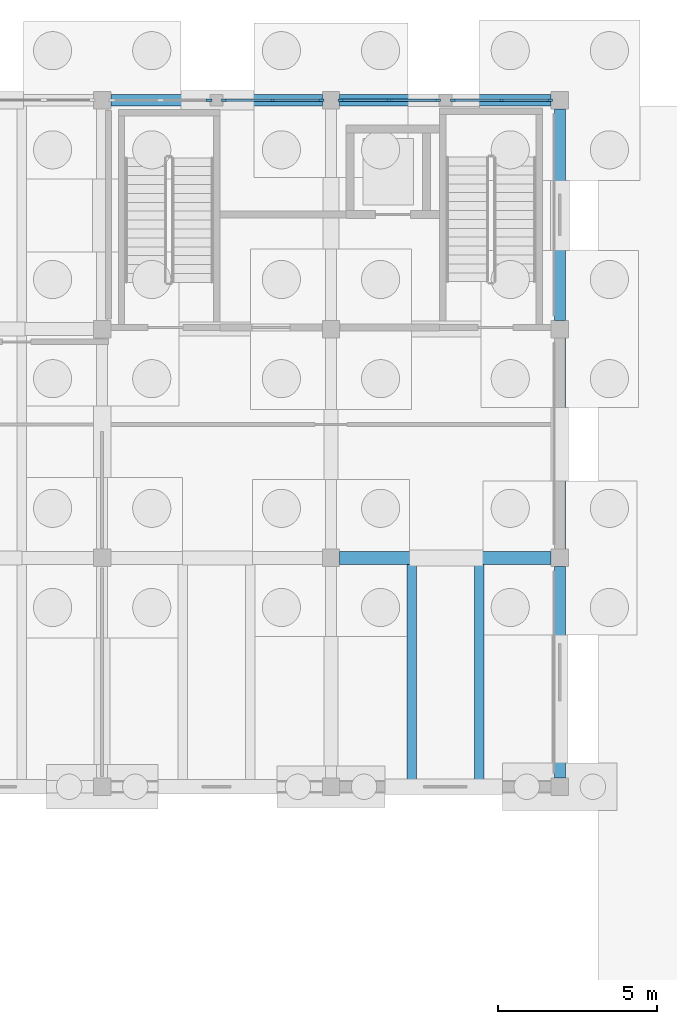
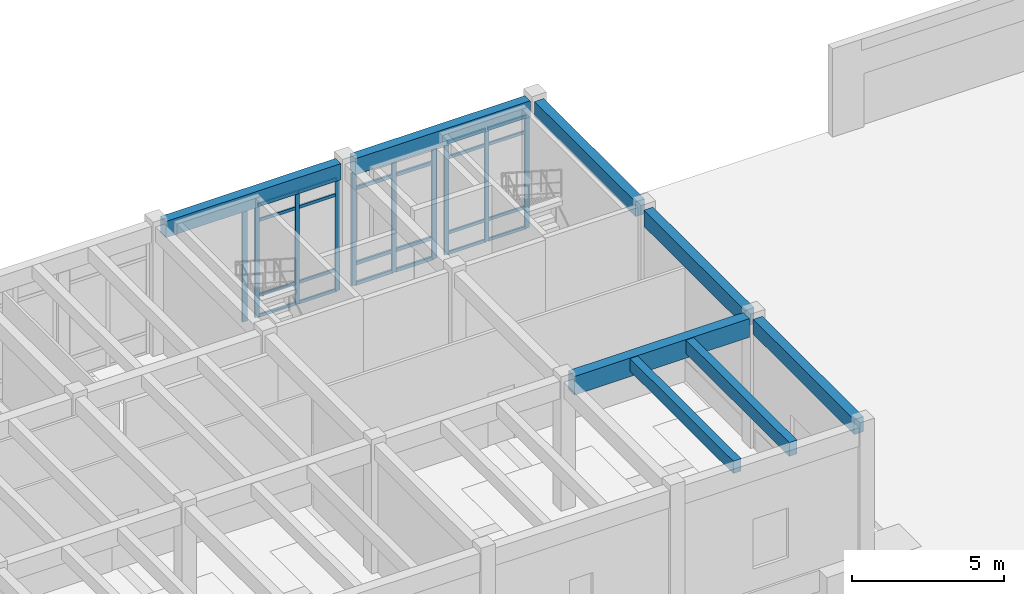
# One storey, part 33 of 93: 34 members, 8 beams, 4 elements without a shape of their own.
"""IFC4 building model written with IfcOpenShell, lengths in metres."""

from ifc_helpers import new_model, si_unit, direction, frame, origin, origin_2d, place, context, subcontext, project, spatial, rectangle, extrude, material, layer, layer_set, material_profile, profile_set, type_object, element, aggregate, save


model = new_model("IFC4")

# Units and contexts
model_context = context("Model", 3, precision=1e-05, world=origin(), true_north=direction((0.0, 1.0)))
body_context = subcontext(model_context, "Body", "Model", "MODEL_VIEW")
ifc_project = project(units=[si_unit("LENGTHUNIT", "METRE"), si_unit("AREAUNIT", "SQUARE_METRE"), si_unit("VOLUMEUNIT", "CUBIC_METRE"), si_unit("PLANEANGLEUNIT", "RADIAN"), si_unit("MASSUNIT", "GRAM", prefix="KILO")], contexts=[model_context])

# Site, building, storey
site_placement = place(None, origin())
site = spatial("IfcSite", under=ifc_project, at=site_placement, CompositionType="ELEMENT")
building_placement = place(site_placement, origin())
building = spatial("IfcBuilding", under=site, at=building_placement, Name="Koriwan Promenade Central Fire Station", CompositionType="ELEMENT")
storey_placement = place(building_placement, origin())
storey = spatial("IfcBuildingStorey", under=building, at=storey_placement, Name="L00", CompositionType="ELEMENT", Elevation=0.0)

# Beams
ifc_material_1 = material(Name="Concrete C35/45", Category="concrete")
ifc_material_profile_1 = material_profile(ifc_material_1, rectangle(XDim=0.300048828125, YDim=0.5, at=origin_2d()), Name="RC-BM-300x500")
ifc_profile_set_1 = profile_set([ifc_material_profile_1], Name="Concrete C35/45")
beam_type_1 = type_object("IfcBeamType", Name="Beam_RC-BM-300x500", PredefinedType="JOIST", material=ifc_profile_set_1)
beam_1_placement = place(storey_placement, frame((96.135986328125, 93.800048828125, 4.909912109375), z_axis=(0.0, 1.0, 0.0), x_axis=(-1.0, 0.0, 0.0)))
element("IfcBeam", 1, at=beam_1_placement, inside=storey, type_object=beam_type_1, Name="V2 L00 smoke chamber secondary joist 5", PredefinedType="JOIST", context=body_context, shape_type="SweptSolid", body=[
    extrude(rectangle(XDim=0.300048828125, YDim=0.5, at=origin_2d()), origin(), (0.0, 0.0, 1.0), 6.800048828125),
])
ifc_material_profile_2 = material_profile(ifc_material_1, rectangle(XDim=0.300048828125, YDim=0.550048828125, at=origin_2d()), Name="RC-BM-300x550")
ifc_profile_set_2 = profile_set([ifc_material_profile_2], Name="Concrete C35/45")
beam_type_2 = type_object("IfcBeamType", Name="Beam_RC-BM-300x550", PredefinedType="JOIST", material=ifc_profile_set_2)
beam_2_placement = place(storey_placement, frame((98.263916015625, 93.800048828125, 4.885009765625), z_axis=(0.0, 1.0, 0.0), x_axis=(-1.0, 0.0, 0.0)))
element("IfcBeam", 2, at=beam_2_placement, inside=storey, type_object=beam_type_2, Name="V2 L00 smoke chamber secondary joist 6", PredefinedType="JOIST", context=body_context, shape_type="SweptSolid", body=[
    extrude(rectangle(XDim=0.300048828125, YDim=0.550048828125, at=origin_2d()), origin(), (0.0, 0.0, 1.0), 6.800048828125),
])
ifc_material_profile_3 = material_profile(ifc_material_1, rectangle(XDim=0.35009765625, YDim=0.60009765625, at=origin_2d()), Name="RC-BM-350x600")
ifc_profile_set_3 = profile_set([ifc_material_profile_3], Name="Concrete C35/45")
beam_type_3 = type_object("IfcBeamType", Name="Beam_RC-BM-350x600", PredefinedType="BEAM", material=ifc_profile_set_3)
beam_3_placement = place(storey_placement, frame((100.800048828125, 93.875, 4.860107421875), z_axis=(0.0, 1.0, 0.0), x_axis=(-1.0, 0.0, 0.0)))
element("IfcBeam", 3, at=beam_3_placement, inside=storey, type_object=beam_type_3, Name="V2 L00 girder Y-108", PredefinedType="BEAM", context=body_context, shape_type="SweptSolid", body=[
    extrude(rectangle(XDim=0.35009765625, YDim=0.60009765625, at=origin_2d()), origin(), (0.0, 0.0, 1.0), 6.64990234375),
])
beam_4_placement = place(storey_placement, frame((100.800048828125, 108.27490234375, 4.8798828125), z_axis=(0.0, 1.0, 0.0), x_axis=(-1.0, 0.0, 0.0)))
element("IfcBeam", 4, at=beam_4_placement, inside=storey, type_object=beam_type_3, Name="V2 L00 girder Y-110", PredefinedType="BEAM", context=body_context, shape_type="SweptSolid", body=[
    extrude(rectangle(XDim=0.35009765625, YDim=0.60009765625, at=origin_2d()), origin(), (0.0, 0.0, 1.0), 6.650146484375),
])
ifc_material_profile_4 = material_profile(ifc_material_1, rectangle(XDim=0.35009765625, YDim=0.64990234375, at=origin_2d()), Name="RC-BM-350x650")
ifc_profile_set_4 = profile_set([ifc_material_profile_4], Name="Concrete C35/45")
beam_type_4 = type_object("IfcBeamType", Name="Beam_RC-BM-350x650", PredefinedType="BEAM", material=ifc_profile_set_4)
beam_5_placement = place(storey_placement, frame((100.800048828125, 101.074951171875, 4.85498046875), z_axis=(0.0, 1.0, 0.0), x_axis=(-1.0, 0.0, 0.0)))
element("IfcBeam", 5, at=beam_5_placement, inside=storey, type_object=beam_type_4, Name="V2 L00 girder Y-109", PredefinedType="BEAM", context=body_context, shape_type="SweptSolid", body=[
    extrude(rectangle(XDim=0.35009765625, YDim=0.64990234375, at=origin_2d()), origin(), (0.0, 0.0, 1.0), 6.650146484375),
])
ifc_material_profile_5 = material_profile(ifc_material_1, rectangle(XDim=0.39990234375, YDim=0.75, at=origin_2d()), Name="RC-BM-400x750")
ifc_profile_set_5 = profile_set([ifc_material_profile_5], Name="Concrete C35/45")
beam_type_5 = type_object("IfcBeamType", Name="Beam_RC-BM-400x750", PredefinedType="BEAM", material=ifc_profile_set_5)
beam_6_placement = place(storey_placement, frame((93.875, 100.800048828125, 4.804931640625), z_axis=(1.0, 0.0, 0.0), x_axis=(0.0, 1.0, 0.0)))
element("IfcBeam", 6, at=beam_6_placement, inside=storey, type_object=beam_type_5, Name="V2 L00 girder X-89", PredefinedType="BEAM", context=body_context, shape_type="SweptSolid", body=[
    extrude(rectangle(XDim=0.39990234375, YDim=0.75, at=origin_2d()), origin(), (0.0, 0.0, 1.0), 6.64990234375),
])
ifc_material_profile_6 = material_profile(ifc_material_1, rectangle(XDim=0.35009765625, YDim=0.64990234375, at=origin_2d()), Name="RC-SP-350x650")
ifc_profile_set_6 = profile_set([ifc_material_profile_6], Name="Concrete C35/45")
beam_type_6 = type_object("IfcBeamType", Name="Beam_RC-SP-350x650", PredefinedType="SPANDREL", material=ifc_profile_set_6)
for number, where, z_axis, x_axis, name in (
    (7, (86.675048828125, 115.199951171875, 4.85498046875), (1.0, 0.0, 0.0), (0.0, 1.0, 0.0), "V2 L00 girder X-94"),
    (8, (93.875, 115.199951171875, 4.85498046875), (1.0, 0.0, 0.0), (0.0, 1.0, 0.0), "V2 L00 girder X-95"),
):
    element("IfcBeam", number, at=place(storey_placement, frame(where, z_axis=z_axis, x_axis=x_axis)), inside=storey, type_object=beam_type_6, Name=name, PredefinedType="SPANDREL", context=body_context, shape_type="SweptSolid", body=[
        extrude(rectangle(XDim=0.35009765625, YDim=0.64990234375, at=origin_2d()), origin(), (0.0, 0.0, 1.0), 6.64990234375),
    ])

# Curtain wall, members
ifc_material_2 = material(Name="Aluminium EN AW-6063-T6 and low-E glazing", Category="aluminium")
ifc_layer_1 = layer(ifc_material_2, 0.159912109375, Name="Aluminium EN AW-6063-T6 and low-E glazing")
ifc_layer_set_1 = layer_set([ifc_layer_1], Name="Aluminium EN AW-6063-T6 and low-E glazing")
curtain_wall_type_1 = type_object("IfcCurtainWallType", Name="CurtainWall_03_312x452", PredefinedType="USERDEFINED", material=ifc_layer_set_1)
curtain_wall_1_placement = place(storey_placement, origin())
curtain_wall_1 = element("IfcCurtainWall", 9, at=curtain_wall_1_placement, inside=storey, type_object=curtain_wall_type_1, Name="V2 L00 unitised curtain wall 013", ObjectType="UNITISED CURTAIN WALL", PredefinedType="USERDEFINED")
ifc_material_3 = material(Name="Aluminium EN AW-6063-T6", Category="aluminium")
ifc_material_profile_7 = material_profile(ifc_material_3, rectangle(XDim=0.06494140625, YDim=0.159912109375, at=origin_2d()), Name="ALU-MUL-65x160")
ifc_profile_set_7 = profile_set([ifc_material_profile_7], Name="Aluminium EN AW-6063-T6")
member_type_1 = type_object("IfcMemberType", Name="CWMullion_ALU-MUL-65x160", PredefinedType="MULLION", material=ifc_profile_set_7)
member_1_placement = place(storey_placement, frame((100.492431640625, 115.199951171875, 0.0), z_axis=(0.0, 0.0, 1.0), x_axis=(0.0, -1.0, 0.0)))
member_1 = element("IfcMember", 10, at=member_1_placement, type_object=member_type_1, Name="CW-03 mullion 1", PredefinedType="MULLION", context=body_context, shape_type="SweptSolid", body=[
    extrude(rectangle(XDim=0.06494140625, YDim=0.159912109375, at=origin_2d()), origin(), (0.0, 0.0, 1.0), 4.52001953125),
])
member_2_placement = place(storey_placement, frame((98.96240234375, 115.199951171875, 0.0), z_axis=(0.0, 0.0, 1.0), x_axis=(0.0, -1.0, 0.0)))
member_2 = element("IfcMember", 11, at=member_2_placement, type_object=member_type_1, Name="CW-03 mullion 2", PredefinedType="MULLION", context=body_context, shape_type="SweptSolid", body=[
    extrude(rectangle(XDim=0.06494140625, YDim=0.159912109375, at=origin_2d()), origin(), (0.0, 0.0, 1.0), 4.52001953125),
])
member_3_placement = place(storey_placement, frame((97.4326171875, 115.199951171875, 0.0), z_axis=(0.0, 0.0, 1.0), x_axis=(0.0, -1.0, 0.0)))
member_3 = element("IfcMember", 12, at=member_3_placement, type_object=member_type_1, Name="CW-03 mullion 3", PredefinedType="MULLION", context=body_context, shape_type="SweptSolid", body=[
    extrude(rectangle(XDim=0.06494140625, YDim=0.159912109375, at=origin_2d()), origin(), (0.0, 0.0, 1.0), 4.52001953125),
])

curtain_wall_2_placement = place(storey_placement, origin())
curtain_wall_2 = element("IfcCurtainWall", 13, at=curtain_wall_2_placement, inside=storey, type_object=curtain_wall_type_1, Name="V2 L00 unitised curtain wall 015", ObjectType="UNITISED CURTAIN WALL", PredefinedType="USERDEFINED")
member_4_placement = place(storey_placement, frame((93.29248046875, 115.199951171875, 0.0), z_axis=(0.0, 0.0, 1.0), x_axis=(0.0, -1.0, 0.0)))
member_4 = element("IfcMember", 14, at=member_4_placement, type_object=member_type_1, Name="CW-03 mullion 1", PredefinedType="MULLION", context=body_context, shape_type="SweptSolid", body=[
    extrude(rectangle(XDim=0.06494140625, YDim=0.159912109375, at=origin_2d()), origin(), (0.0, 0.0, 1.0), 4.52001953125),
])
member_5_placement = place(storey_placement, frame((91.762451171875, 115.199951171875, 0.0), z_axis=(0.0, 0.0, 1.0), x_axis=(0.0, -1.0, 0.0)))
member_5 = element("IfcMember", 15, at=member_5_placement, type_object=member_type_1, Name="CW-03 mullion 2", PredefinedType="MULLION", context=body_context, shape_type="SweptSolid", body=[
    extrude(rectangle(XDim=0.06494140625, YDim=0.159912109375, at=origin_2d()), origin(), (0.0, 0.0, 1.0), 4.52001953125),
])
member_6_placement = place(storey_placement, frame((90.232421875, 115.199951171875, 0.0), z_axis=(0.0, 0.0, 1.0), x_axis=(0.0, -1.0, 0.0)))
member_6 = element("IfcMember", 16, at=member_6_placement, type_object=member_type_1, Name="CW-03 mullion 3", PredefinedType="MULLION", context=body_context, shape_type="SweptSolid", body=[
    extrude(rectangle(XDim=0.06494140625, YDim=0.159912109375, at=origin_2d()), origin(), (0.0, 0.0, 1.0), 4.52001953125),
])

ifc_layer_2 = layer(ifc_material_2, 0.159912109375, Name="Aluminium EN AW-6063-T6 and low-E glazing")
ifc_layer_set_2 = layer_set([ifc_layer_2], Name="Aluminium EN AW-6063-T6 and low-E glazing")
curtain_wall_type_2 = type_object("IfcCurtainWallType", Name="CurtainWall_04_312x452", PredefinedType="USERDEFINED", material=ifc_layer_set_2)
curtain_wall_3_placement = place(storey_placement, origin())
curtain_wall_3 = element("IfcCurtainWall", 17, at=curtain_wall_3_placement, inside=storey, type_object=curtain_wall_type_2, Name="V2 L00 unitised curtain wall 014", ObjectType="UNITISED CURTAIN WALL", PredefinedType="USERDEFINED")
ifc_material_profile_8 = material_profile(ifc_material_3, rectangle(XDim=0.074951171875, YDim=0.179931640625, at=origin_2d()), Name="ALU-MUL-75x180")
ifc_profile_set_8 = profile_set([ifc_material_profile_8], Name="Aluminium EN AW-6063-T6")
member_type_2 = type_object("IfcMemberType", Name="CWMullion_ALU-MUL-75x180", PredefinedType="MULLION", material=ifc_profile_set_8)
member_7_placement = place(storey_placement, frame((96.96240234375, 115.199951171875, 0.0), z_axis=(0.0, 0.0, 1.0), x_axis=(0.0, -1.0, 0.0)))
member_7 = element("IfcMember", 18, at=member_7_placement, type_object=member_type_2, Name="CW-04 mullion 1", PredefinedType="MULLION", context=body_context, shape_type="SweptSolid", body=[
    extrude(rectangle(XDim=0.074951171875, YDim=0.179931640625, at=origin_2d()), origin(), (0.0, 0.0, 1.0), 4.52001953125),
])
member_8_placement = place(storey_placement, frame((95.4375, 115.199951171875, 0.0), z_axis=(0.0, 0.0, 1.0), x_axis=(0.0, -1.0, 0.0)))
member_8 = element("IfcMember", 19, at=member_8_placement, type_object=member_type_2, Name="CW-04 mullion 2", PredefinedType="MULLION", context=body_context, shape_type="SweptSolid", body=[
    extrude(rectangle(XDim=0.074951171875, YDim=0.179931640625, at=origin_2d()), origin(), (0.0, 0.0, 1.0), 4.52001953125),
])
member_9_placement = place(storey_placement, frame((93.91259765625, 115.199951171875, 0.0), z_axis=(0.0, 0.0, 1.0), x_axis=(0.0, -1.0, 0.0)))
member_9 = element("IfcMember", 20, at=member_9_placement, type_object=member_type_2, Name="CW-04 mullion 3", PredefinedType="MULLION", context=body_context, shape_type="SweptSolid", body=[
    extrude(rectangle(XDim=0.074951171875, YDim=0.179931640625, at=origin_2d()), origin(), (0.0, 0.0, 1.0), 4.52001953125),
])

# Curtain wall, member
curtain_wall_4_placement = place(storey_placement, origin())
curtain_wall_4 = element("IfcCurtainWall", 21, at=curtain_wall_4_placement, inside=storey, type_object=curtain_wall_type_2, Name="V2 L00 unitised curtain wall 016", ObjectType="UNITISED CURTAIN WALL", PredefinedType="USERDEFINED")
member_10_placement = place(storey_placement, frame((89.762451171875, 115.199951171875, 0.0), z_axis=(0.0, 0.0, 1.0), x_axis=(0.0, -1.0, 0.0)))
member_10 = element("IfcMember", 22, at=member_10_placement, type_object=member_type_2, Name="CW-04 mullion 1", PredefinedType="MULLION", context=body_context, shape_type="SweptSolid", body=[
    extrude(rectangle(XDim=0.074951171875, YDim=0.179931640625, at=origin_2d()), origin(), (0.0, 0.0, 1.0), 4.52001953125),
])
aggregate(curtain_wall_4, [member_10])

# Member
ifc_material_profile_9 = material_profile(ifc_material_3, rectangle(XDim=0.06494140625, YDim=0.1201171875, at=origin_2d()), Name="ALU-TRN-65x120")
ifc_profile_set_9 = profile_set([ifc_material_profile_9], Name="Aluminium EN AW-6063-T6")
member_type_3 = type_object("IfcMemberType", Name="CWTransom_ALU-TRN-65x120", PredefinedType="USERDEFINED", material=ifc_profile_set_9)
member_11_placement = place(storey_placement, frame((100.4599609375, 115.199951171875, 0.032470703125), z_axis=(-1.0, 0.0, 0.0), x_axis=(0.0, -1.0, 0.0)))
member_11 = element("IfcMember", 23, at=member_11_placement, type_object=member_type_3, Name="CW-03 transom 1.1", ObjectType="TRANSOM", PredefinedType="USERDEFINED", context=body_context, shape_type="SweptSolid", body=[
    extrude(rectangle(XDim=0.06494140625, YDim=0.1201171875, at=origin_2d()), origin(), (0.0, 0.0, 1.0), 1.46484375),
])

member_12_placement = place(storey_placement, frame((100.4599609375, 115.199951171875, 0.85009765625), z_axis=(-1.0, 0.0, 0.0), x_axis=(0.0, -1.0, 0.0)))
member_12 = element("IfcMember", 24, at=member_12_placement, type_object=member_type_3, Name="CW-03 transom 1.2", ObjectType="TRANSOM", PredefinedType="USERDEFINED", context=body_context, shape_type="SweptSolid", body=[
    extrude(rectangle(XDim=0.06494140625, YDim=0.1201171875, at=origin_2d()), origin(), (0.0, 0.0, 1.0), 1.46484375),
])

member_13_placement = place(storey_placement, frame((100.4599609375, 115.199951171875, 3.8701171875), z_axis=(-1.0, 0.0, 0.0), x_axis=(0.0, -1.0, 0.0)))
member_13 = element("IfcMember", 25, at=member_13_placement, type_object=member_type_3, Name="CW-03 transom 1.3", ObjectType="TRANSOM", PredefinedType="USERDEFINED", context=body_context, shape_type="SweptSolid", body=[
    extrude(rectangle(XDim=0.06494140625, YDim=0.1201171875, at=origin_2d()), origin(), (0.0, 0.0, 1.0), 1.46484375),
])

member_14_placement = place(storey_placement, frame((100.4599609375, 115.199951171875, 4.487548828125), z_axis=(-1.0, 0.0, 0.0), x_axis=(0.0, -1.0, 0.0)))
member_14 = element("IfcMember", 26, at=member_14_placement, type_object=member_type_3, Name="CW-03 transom 1.4", ObjectType="TRANSOM", PredefinedType="USERDEFINED", context=body_context, shape_type="SweptSolid", body=[
    extrude(rectangle(XDim=0.06494140625, YDim=0.1201171875, at=origin_2d()), origin(), (0.0, 0.0, 1.0), 1.46484375),
])

member_15_placement = place(storey_placement, frame((98.929931640625, 115.199951171875, 0.032470703125), z_axis=(-1.0, 0.0, 0.0), x_axis=(0.0, -1.0, 0.0)))
member_15 = element("IfcMember", 27, at=member_15_placement, type_object=member_type_3, Name="CW-03 transom 2.1", ObjectType="TRANSOM", PredefinedType="USERDEFINED", context=body_context, shape_type="SweptSolid", body=[
    extrude(rectangle(XDim=0.06494140625, YDim=0.1201171875, at=origin_2d()), origin(), (0.0, 0.0, 1.0), 1.46484375),
])

member_16_placement = place(storey_placement, frame((98.929931640625, 115.199951171875, 0.85009765625), z_axis=(-1.0, 0.0, 0.0), x_axis=(0.0, -1.0, 0.0)))
member_16 = element("IfcMember", 28, at=member_16_placement, type_object=member_type_3, Name="CW-03 transom 2.2", ObjectType="TRANSOM", PredefinedType="USERDEFINED", context=body_context, shape_type="SweptSolid", body=[
    extrude(rectangle(XDim=0.06494140625, YDim=0.1201171875, at=origin_2d()), origin(), (0.0, 0.0, 1.0), 1.46484375),
])

member_17_placement = place(storey_placement, frame((98.929931640625, 115.199951171875, 3.8701171875), z_axis=(-1.0, 0.0, 0.0), x_axis=(0.0, -1.0, 0.0)))
member_17 = element("IfcMember", 29, at=member_17_placement, type_object=member_type_3, Name="CW-03 transom 2.3", ObjectType="TRANSOM", PredefinedType="USERDEFINED", context=body_context, shape_type="SweptSolid", body=[
    extrude(rectangle(XDim=0.06494140625, YDim=0.1201171875, at=origin_2d()), origin(), (0.0, 0.0, 1.0), 1.46484375),
])

member_18_placement = place(storey_placement, frame((98.929931640625, 115.199951171875, 4.487548828125), z_axis=(-1.0, 0.0, 0.0), x_axis=(0.0, -1.0, 0.0)))
member_18 = element("IfcMember", 30, at=member_18_placement, type_object=member_type_3, Name="CW-03 transom 2.4", ObjectType="TRANSOM", PredefinedType="USERDEFINED", context=body_context, shape_type="SweptSolid", body=[
    extrude(rectangle(XDim=0.06494140625, YDim=0.1201171875, at=origin_2d()), origin(), (0.0, 0.0, 1.0), 1.46484375),
])

aggregate(curtain_wall_1, [member_1, member_2, member_3, member_11, member_12, member_13, member_14, member_15, member_16, member_17, member_18])

member_19_placement = place(storey_placement, frame((93.260009765625, 115.199951171875, 0.032470703125), z_axis=(-1.0, 0.0, 0.0), x_axis=(0.0, -1.0, 0.0)))
member_19 = element("IfcMember", 31, at=member_19_placement, type_object=member_type_3, Name="CW-03 transom 1.1", ObjectType="TRANSOM", PredefinedType="USERDEFINED", context=body_context, shape_type="SweptSolid", body=[
    extrude(rectangle(XDim=0.06494140625, YDim=0.1201171875, at=origin_2d()), origin(), (0.0, 0.0, 1.0), 1.465087890625),
])

member_20_placement = place(storey_placement, frame((93.260009765625, 115.199951171875, 0.85009765625), z_axis=(-1.0, 0.0, 0.0), x_axis=(0.0, -1.0, 0.0)))
member_20 = element("IfcMember", 32, at=member_20_placement, type_object=member_type_3, Name="CW-03 transom 1.2", ObjectType="TRANSOM", PredefinedType="USERDEFINED", context=body_context, shape_type="SweptSolid", body=[
    extrude(rectangle(XDim=0.06494140625, YDim=0.1201171875, at=origin_2d()), origin(), (0.0, 0.0, 1.0), 1.465087890625),
])

member_21_placement = place(storey_placement, frame((93.260009765625, 115.199951171875, 3.8701171875), z_axis=(-1.0, 0.0, 0.0), x_axis=(0.0, -1.0, 0.0)))
member_21 = element("IfcMember", 33, at=member_21_placement, type_object=member_type_3, Name="CW-03 transom 1.3", ObjectType="TRANSOM", PredefinedType="USERDEFINED", context=body_context, shape_type="SweptSolid", body=[
    extrude(rectangle(XDim=0.06494140625, YDim=0.1201171875, at=origin_2d()), origin(), (0.0, 0.0, 1.0), 1.465087890625),
])

member_22_placement = place(storey_placement, frame((93.260009765625, 115.199951171875, 4.487548828125), z_axis=(-1.0, 0.0, 0.0), x_axis=(0.0, -1.0, 0.0)))
member_22 = element("IfcMember", 34, at=member_22_placement, type_object=member_type_3, Name="CW-03 transom 1.4", ObjectType="TRANSOM", PredefinedType="USERDEFINED", context=body_context, shape_type="SweptSolid", body=[
    extrude(rectangle(XDim=0.06494140625, YDim=0.1201171875, at=origin_2d()), origin(), (0.0, 0.0, 1.0), 1.465087890625),
])

member_23_placement = place(storey_placement, frame((91.72998046875, 115.199951171875, 0.032470703125), z_axis=(-1.0, 0.0, 0.0), x_axis=(0.0, -1.0, 0.0)))
member_23 = element("IfcMember", 35, at=member_23_placement, type_object=member_type_3, Name="CW-03 transom 2.1", ObjectType="TRANSOM", PredefinedType="USERDEFINED", context=body_context, shape_type="SweptSolid", body=[
    extrude(rectangle(XDim=0.06494140625, YDim=0.1201171875, at=origin_2d()), origin(), (0.0, 0.0, 1.0), 1.465087890625),
])

member_24_placement = place(storey_placement, frame((91.72998046875, 115.199951171875, 0.85009765625), z_axis=(-1.0, 0.0, 0.0), x_axis=(0.0, -1.0, 0.0)))
member_24 = element("IfcMember", 36, at=member_24_placement, type_object=member_type_3, Name="CW-03 transom 2.2", ObjectType="TRANSOM", PredefinedType="USERDEFINED", context=body_context, shape_type="SweptSolid", body=[
    extrude(rectangle(XDim=0.06494140625, YDim=0.1201171875, at=origin_2d()), origin(), (0.0, 0.0, 1.0), 1.465087890625),
])

member_25_placement = place(storey_placement, frame((91.72998046875, 115.199951171875, 3.8701171875), z_axis=(-1.0, 0.0, 0.0), x_axis=(0.0, -1.0, 0.0)))
member_25 = element("IfcMember", 37, at=member_25_placement, type_object=member_type_3, Name="CW-03 transom 2.3", ObjectType="TRANSOM", PredefinedType="USERDEFINED", context=body_context, shape_type="SweptSolid", body=[
    extrude(rectangle(XDim=0.06494140625, YDim=0.1201171875, at=origin_2d()), origin(), (0.0, 0.0, 1.0), 1.465087890625),
])

member_26_placement = place(storey_placement, frame((91.72998046875, 115.199951171875, 4.487548828125), z_axis=(-1.0, 0.0, 0.0), x_axis=(0.0, -1.0, 0.0)))
member_26 = element("IfcMember", 38, at=member_26_placement, type_object=member_type_3, Name="CW-03 transom 2.4", ObjectType="TRANSOM", PredefinedType="USERDEFINED", context=body_context, shape_type="SweptSolid", body=[
    extrude(rectangle(XDim=0.06494140625, YDim=0.1201171875, at=origin_2d()), origin(), (0.0, 0.0, 1.0), 1.465087890625),
])

aggregate(curtain_wall_2, [member_4, member_5, member_6, member_19, member_20, member_21, member_22, member_23, member_24, member_25, member_26])

ifc_material_profile_10 = material_profile(ifc_material_3, rectangle(XDim=0.074951171875, YDim=0.139892578125, at=origin_2d()), Name="ALU-TRN-75x140")
ifc_profile_set_10 = profile_set([ifc_material_profile_10], Name="Aluminium EN AW-6063-T6")
member_type_4 = type_object("IfcMemberType", Name="CWTransom_ALU-TRN-75x140", PredefinedType="USERDEFINED", material=ifc_profile_set_10)
member_27_placement = place(storey_placement, frame((96.925048828125, 115.199951171875, 0.03759765625), z_axis=(-1.0, 0.0, 0.0), x_axis=(0.0, -1.0, 0.0)))
member_27 = element("IfcMember", 39, at=member_27_placement, type_object=member_type_4, Name="CW-04 transom 1.1", ObjectType="TRANSOM", PredefinedType="USERDEFINED", context=body_context, shape_type="SweptSolid", body=[
    extrude(rectangle(XDim=0.074951171875, YDim=0.139892578125, at=origin_2d()), origin(), (0.0, 0.0, 1.0), 1.449951171875),
])

member_28_placement = place(storey_placement, frame((96.925048828125, 115.199951171875, 0.85009765625), z_axis=(-1.0, 0.0, 0.0), x_axis=(0.0, -1.0, 0.0)))
member_28 = element("IfcMember", 40, at=member_28_placement, type_object=member_type_4, Name="CW-04 transom 1.2", ObjectType="TRANSOM", PredefinedType="USERDEFINED", context=body_context, shape_type="SweptSolid", body=[
    extrude(rectangle(XDim=0.074951171875, YDim=0.139892578125, at=origin_2d()), origin(), (0.0, 0.0, 1.0), 1.449951171875),
])

member_29_placement = place(storey_placement, frame((96.925048828125, 115.199951171875, 3.8701171875), z_axis=(-1.0, 0.0, 0.0), x_axis=(0.0, -1.0, 0.0)))
member_29 = element("IfcMember", 41, at=member_29_placement, type_object=member_type_4, Name="CW-04 transom 1.3", ObjectType="TRANSOM", PredefinedType="USERDEFINED", context=body_context, shape_type="SweptSolid", body=[
    extrude(rectangle(XDim=0.074951171875, YDim=0.139892578125, at=origin_2d()), origin(), (0.0, 0.0, 1.0), 1.449951171875),
])

member_30_placement = place(storey_placement, frame((96.925048828125, 115.199951171875, 4.482421875), z_axis=(-1.0, 0.0, 0.0), x_axis=(0.0, -1.0, 0.0)))
member_30 = element("IfcMember", 42, at=member_30_placement, type_object=member_type_4, Name="CW-04 transom 1.4", ObjectType="TRANSOM", PredefinedType="USERDEFINED", context=body_context, shape_type="SweptSolid", body=[
    extrude(rectangle(XDim=0.074951171875, YDim=0.139892578125, at=origin_2d()), origin(), (0.0, 0.0, 1.0), 1.449951171875),
])

member_31_placement = place(storey_placement, frame((95.39990234375, 115.199951171875, 0.03759765625), z_axis=(-1.0, 0.0, 0.0), x_axis=(0.0, -1.0, 0.0)))
member_31 = element("IfcMember", 43, at=member_31_placement, type_object=member_type_4, Name="CW-04 transom 2.1", ObjectType="TRANSOM", PredefinedType="USERDEFINED", context=body_context, shape_type="SweptSolid", body=[
    extrude(rectangle(XDim=0.074951171875, YDim=0.139892578125, at=origin_2d()), origin(), (0.0, 0.0, 1.0), 1.449951171875),
])

member_32_placement = place(storey_placement, frame((95.39990234375, 115.199951171875, 0.85009765625), z_axis=(-1.0, 0.0, 0.0), x_axis=(0.0, -1.0, 0.0)))
member_32 = element("IfcMember", 44, at=member_32_placement, type_object=member_type_4, Name="CW-04 transom 2.2", ObjectType="TRANSOM", PredefinedType="USERDEFINED", context=body_context, shape_type="SweptSolid", body=[
    extrude(rectangle(XDim=0.074951171875, YDim=0.139892578125, at=origin_2d()), origin(), (0.0, 0.0, 1.0), 1.449951171875),
])

member_33_placement = place(storey_placement, frame((95.39990234375, 115.199951171875, 3.8701171875), z_axis=(-1.0, 0.0, 0.0), x_axis=(0.0, -1.0, 0.0)))
member_33 = element("IfcMember", 45, at=member_33_placement, type_object=member_type_4, Name="CW-04 transom 2.3", ObjectType="TRANSOM", PredefinedType="USERDEFINED", context=body_context, shape_type="SweptSolid", body=[
    extrude(rectangle(XDim=0.074951171875, YDim=0.139892578125, at=origin_2d()), origin(), (0.0, 0.0, 1.0), 1.449951171875),
])

member_34_placement = place(storey_placement, frame((95.39990234375, 115.199951171875, 4.482421875), z_axis=(-1.0, 0.0, 0.0), x_axis=(0.0, -1.0, 0.0)))
member_34 = element("IfcMember", 46, at=member_34_placement, type_object=member_type_4, Name="CW-04 transom 2.4", ObjectType="TRANSOM", PredefinedType="USERDEFINED", context=body_context, shape_type="SweptSolid", body=[
    extrude(rectangle(XDim=0.074951171875, YDim=0.139892578125, at=origin_2d()), origin(), (0.0, 0.0, 1.0), 1.449951171875),
])

aggregate(curtain_wall_3, [member_7, member_8, member_9, member_27, member_28, member_29, member_30, member_31, member_32, member_33, member_34])

save(model, "model.ifc")
